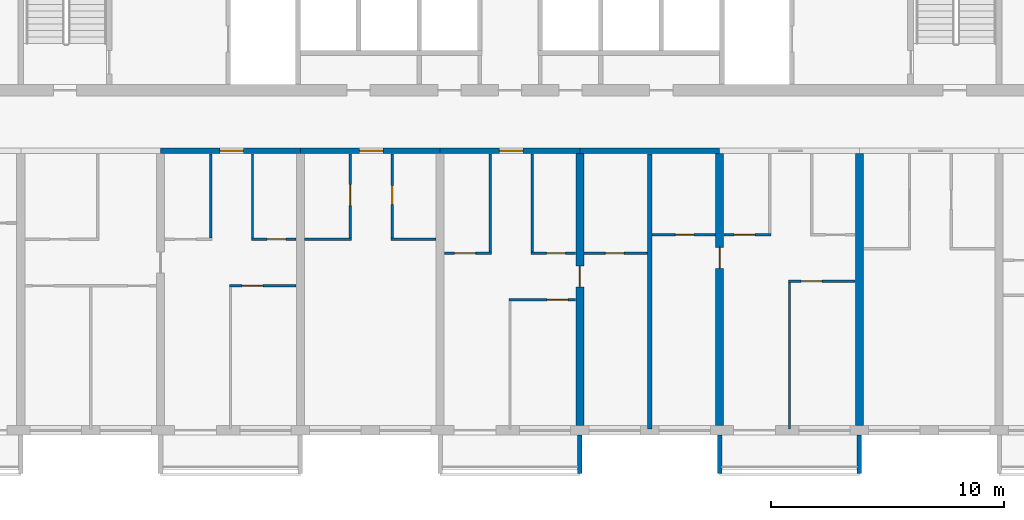
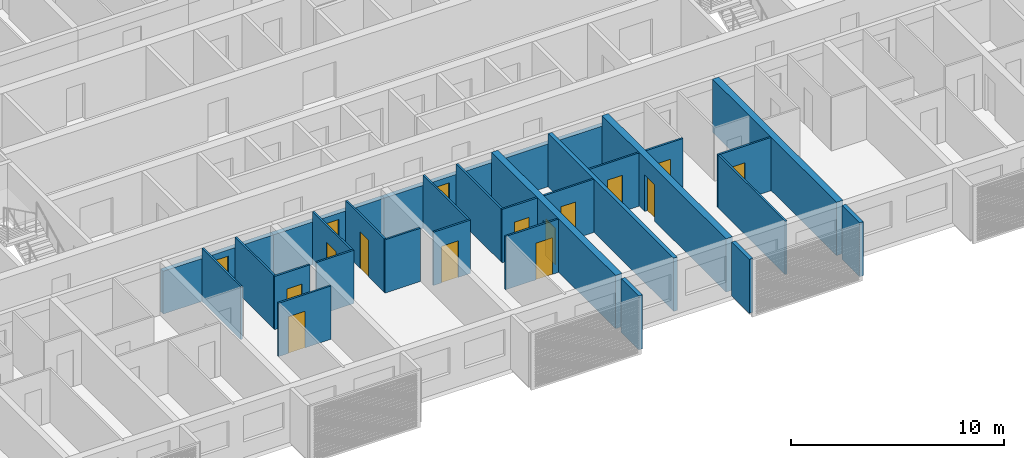
# One storey, part 5 of 27: 29 walls, 16 doors, 16 openings.
"""IFC4 building model written with IfcOpenShell, lengths in metres."""

from ifc_helpers import new_model, si_unit, direction, frame, frame_2d, origin, place, context, subcontext, project, spatial, polyline, rectangle, outline, extrude, source, transform, mapped, material, layer, layer_set, type_object, element, fill, save


model = new_model("IFC4")

# Units and contexts
model_context = context("Model", 3, precision=1e-05, world=origin(), true_north=direction((0.0, 1.0)))
body_context = subcontext(model_context, "Body", "Model", "MODEL_VIEW")
ifc_project = project(units=[si_unit("LENGTHUNIT", "METRE"), si_unit("AREAUNIT", "SQUARE_METRE"), si_unit("VOLUMEUNIT", "CUBIC_METRE"), si_unit("PLANEANGLEUNIT", "RADIAN"), si_unit("MASSUNIT", "GRAM", prefix="KILO")], contexts=[model_context])

# Site, building, storey
site_placement = place(None, origin())
site = spatial("IfcSite", under=ifc_project, at=site_placement, CompositionType="ELEMENT")
building_placement = place(site_placement, origin())
building = spatial("IfcBuilding", under=site, at=building_placement, Name="Poui Terraces", CompositionType="ELEMENT")
storey_placement = place(building_placement, frame((0.0, 0.0, 76.199951171875)))
storey = spatial("IfcBuildingStorey", under=building, at=storey_placement, Name="L20", CompositionType="ELEMENT", Elevation=76.199951171875)

# Wall, opening, door
ifc_material_1 = material(Name="Concrete 65 MPa", Category="concrete")
ifc_layer_1 = layer(ifc_material_1, 0.25)
ifc_layer_set_1 = layer_set([ifc_layer_1], Name="Concrete 65 MPa")
wall_type_1 = type_object("IfcWallType", Name="CORRIDOR WALL 250 65MPa", PredefinedType="SHEAR", material=ifc_layer_set_1)
wall_1_placement = place(storey_placement, frame((36.0, 12.0, 0.0), z_axis=(0.0, 0.0, 1.0), x_axis=(1.0, 0.0, 0.0)))
wall_1 = element("IfcWall", 1, at=wall_1_placement, inside=storey, type_object=wall_type_1, Name="CORRIDOR WALL LINE B BAY 6", PredefinedType="SHEAR", context=body_context, shape_type="SweptSolid", body=[
    extrude(rectangle(XDim=6.0, YDim=0.25, at=frame_2d((3.0, 0.0))), origin(), (0.0, 0.0, 1.0), 2.4599609375),
])
opening_1_placement = place(wall_1_placement, frame((2.550048828125, 0.0, 0.0)))
opening_1 = element("IfcOpeningElement", 2, at=opening_1_placement, cuts=wall_1, Name="Opening FD30S", PredefinedType="OPENING", context=body_context, shape_type="SweptSolid", body=[
    extrude(rectangle(XDim=1.0, YDim=2.10009765625, at=frame_2d((0.5, 1.050048828125))), frame((0.0, 0.135009765625, 0.0), z_axis=(0.0, -1.0, 0.0), x_axis=(1.0, 0.0, 0.0)), (0.0, 0.0, 1.0), 0.27001953125),
])
ifc_material_2 = material(Name="Steel fire door", Category="steel")
door_type_1 = type_object("IfcDoorType", Name="FLAT ENTRANCE DOOR 1000 X 2100", OperationType="NOTDEFINED", PredefinedType="DOOR", material=ifc_material_2)
door_1_placement = place(opening_1_placement, frame((1.0, 0.0, 0.0), z_axis=(0.0, 0.0, 1.0), x_axis=(-1.0, 0.0, 0.0)))
door_1 = element("IfcDoor", 3, at=door_1_placement, inside=storey, type_object=door_type_1, Name="FLAT ENTRANCE DOOR 101", OperationType="SINGLE_SWING_LEFT", OverallHeight=2.10009765625, OverallWidth=1.0, PredefinedType="DOOR", context=body_context, shape_type="SweptSolid", body=[
    extrude(rectangle(XDim=1.0, YDim=2.10009765625, at=frame_2d((0.5, 1.050048828125))), frame((0.0, 0.02490234375, 0.0), z_axis=(0.0, -1.0, 0.0), x_axis=(1.0, 0.0, 0.0)), (0.0, 0.0, 1.0), 0.050048828125),
])
fill(opening_1, door_1)

wall_2_placement = place(storey_placement, frame((42.0, 12.0, 0.0), z_axis=(0.0, 0.0, 1.0), x_axis=(1.0, 0.0, 0.0)))
wall_2 = element("IfcWall", 4, at=wall_2_placement, inside=storey, type_object=wall_type_1, Name="CORRIDOR WALL LINE B BAY 7", PredefinedType="SHEAR", context=body_context, shape_type="SweptSolid", body=[
    extrude(rectangle(XDim=6.0, YDim=0.25, at=frame_2d((3.0, 0.0))), origin(), (0.0, 0.0, 1.0), 2.4599609375),
])
opening_2_placement = place(wall_2_placement, frame((2.550048828125, 0.0, 0.0)))
opening_2 = element("IfcOpeningElement", 5, at=opening_2_placement, cuts=wall_2, Name="Opening FD30S", PredefinedType="OPENING", context=body_context, shape_type="SweptSolid", body=[
    extrude(rectangle(XDim=1.0, YDim=2.10009765625, at=frame_2d((0.5, 1.050048828125))), frame((0.0, 0.135009765625, 0.0), z_axis=(0.0, -1.0, 0.0), x_axis=(1.0, 0.0, 0.0)), (0.0, 0.0, 1.0), 0.27001953125),
])
door_2_placement = place(opening_2_placement, frame((1.0, 0.0, 0.0), z_axis=(0.0, 0.0, 1.0), x_axis=(-1.0, 0.0, 0.0)))
door_2 = element("IfcDoor", 6, at=door_2_placement, inside=storey, type_object=door_type_1, Name="FLAT ENTRANCE DOOR 105", OperationType="SINGLE_SWING_LEFT", OverallHeight=2.10009765625, OverallWidth=1.0, PredefinedType="DOOR", context=body_context, shape_type="SweptSolid", body=[
    extrude(rectangle(XDim=1.0, YDim=2.10009765625, at=frame_2d((0.5, 1.050048828125))), frame((0.0, 0.02490234375, 0.0), z_axis=(0.0, -1.0, 0.0), x_axis=(1.0, 0.0, 0.0)), (0.0, 0.0, 1.0), 0.050048828125),
])
fill(opening_2, door_2)

wall_3_placement = place(storey_placement, frame((48.0, 12.0, 0.0), z_axis=(0.0, 0.0, 1.0), x_axis=(1.0, 0.0, 0.0)))
wall_3 = element("IfcWall", 7, at=wall_3_placement, inside=storey, type_object=wall_type_1, Name="CORRIDOR WALL LINE B BAY 8", PredefinedType="SHEAR", context=body_context, shape_type="SweptSolid", body=[
    extrude(rectangle(XDim=6.0, YDim=0.25, at=frame_2d((3.0, 0.0))), origin(), (0.0, 0.0, 1.0), 2.4599609375),
])
opening_3_placement = place(wall_3_placement, frame((2.550048828125, 0.0, 0.0)))
opening_3 = element("IfcOpeningElement", 8, at=opening_3_placement, cuts=wall_3, Name="Opening FD30S", PredefinedType="OPENING", context=body_context, shape_type="SweptSolid", body=[
    extrude(rectangle(XDim=1.0, YDim=2.10009765625, at=frame_2d((0.5, 1.050048828125))), frame((0.0, 0.135009765625, 0.0), z_axis=(0.0, -1.0, 0.0), x_axis=(1.0, 0.0, 0.0)), (0.0, 0.0, 1.0), 0.27001953125),
])
door_3_placement = place(opening_3_placement, frame((1.0, 0.0, 0.0), z_axis=(0.0, 0.0, 1.0), x_axis=(-1.0, 0.0, 0.0)))
door_3 = element("IfcDoor", 9, at=door_3_placement, inside=storey, type_object=door_type_1, Name="FLAT ENTRANCE DOOR 109", OperationType="SINGLE_SWING_LEFT", OverallHeight=2.10009765625, OverallWidth=1.0, PredefinedType="DOOR", context=body_context, shape_type="SweptSolid", body=[
    extrude(rectangle(XDim=1.0, YDim=2.10009765625, at=frame_2d((0.5, 1.050048828125))), frame((0.0, 0.02490234375, 0.0), z_axis=(0.0, -1.0, 0.0), x_axis=(1.0, 0.0, 0.0)), (0.0, 0.0, 1.0), 0.050048828125),
])
fill(opening_3, door_3)

# Wall
wall_4_placement = place(storey_placement, frame((54.0, 12.0, 0.0), z_axis=(0.0, 0.0, 1.0), x_axis=(1.0, 0.0, 0.0)))
element("IfcWall", 10, at=wall_4_placement, inside=storey, type_object=wall_type_1, Name="CORRIDOR WALL LINE B BAY 9", PredefinedType="SHEAR", context=body_context, shape_type="SweptSolid", body=[
    extrude(rectangle(XDim=6.0, YDim=0.25, at=frame_2d((3.0, 0.0))), origin(), (0.0, 0.0, 1.0), 2.4599609375),
])

# Wall, opening, door
ifc_layer_2 = layer(ifc_material_1, 0.35009765625)
ifc_layer_set_2 = layer_set([ifc_layer_2], Name="Concrete 65 MPa")
wall_type_2 = type_object("IfcWallType", Name="CROSS WALL 350 65MPa", PredefinedType="SHEAR", material=ifc_layer_set_2)
wall_5_placement = place(storey_placement, frame((54.0, 0.199951171875, 0.0), z_axis=(0.0, 0.0, 1.0), x_axis=(0.0, 1.0, 0.0)))
wall_5 = element("IfcWall", 11, at=wall_5_placement, inside=storey, type_object=wall_type_2, Name="CROSS WALL LINE 10 SOUTH", PredefinedType="SHEAR", context=body_context, shape_type="SweptSolid", body=[
    extrude(rectangle(XDim=11.675048828125, YDim=0.35009765625, at=frame_2d((5.83740234375, 0.0))), origin(), (0.0, 0.0, 1.0), 3.06005859375),
])
opening_4_placement = place(wall_5_placement, frame((5.949951171875, 0.0, 0.0)))
opening_4 = element("IfcOpeningElement", 12, at=opening_4_placement, cuts=wall_5, Name="Opening D90", PredefinedType="OPENING", context=body_context, shape_type="SweptSolid", body=[
    extrude(rectangle(XDim=0.89990234375, YDim=2.10009765625, at=frame_2d((0.449951171875, 1.050048828125))), frame((0.0, 0.18505859375, 0.0), z_axis=(0.0, -1.0, 0.0), x_axis=(1.0, 0.0, 0.0)), (0.0, 0.0, 1.0), 0.3701171875),
])
ifc_material_3 = material(Name="Solid core timber door", Category="wood")
door_type_2 = type_object("IfcDoorType", Name="INTERNAL DOOR 900 X 2100", OperationType="NOTDEFINED", PredefinedType="DOOR", material=ifc_material_3)
door_4_placement = place(opening_4_placement, frame((0.89990234375, 0.0, 0.0), z_axis=(0.0, 0.0, 1.0), x_axis=(-1.0, 0.0, 0.0)))
door_4 = element("IfcDoor", 13, at=door_4_placement, inside=storey, type_object=door_type_2, Name="INTERNAL DOOR 112", OperationType="SINGLE_SWING_LEFT", OverallHeight=2.10009765625, OverallWidth=0.89990234375, PredefinedType="DOOR", context=body_context, shape_type="SweptSolid", body=[
    extrude(rectangle(XDim=0.89990234375, YDim=2.10009765625, at=frame_2d((0.449951171875, 1.050048828125))), frame((0.0, 0.02490234375, 0.0), z_axis=(0.0, -1.0, 0.0), x_axis=(1.0, 0.0, 0.0)), (0.0, 0.0, 1.0), 0.050048828125),
])
fill(opening_4, door_4)

wall_6_placement = place(storey_placement, frame((60.0, 0.199951171875, 0.0), z_axis=(0.0, 0.0, 1.0), x_axis=(0.0, 1.0, 0.0)))
wall_6 = element("IfcWall", 14, at=wall_6_placement, inside=storey, type_object=wall_type_2, Name="CROSS WALL LINE 11 SOUTH", PredefinedType="SHEAR", context=body_context, shape_type="SweptSolid", body=[
    extrude(rectangle(XDim=11.675048828125, YDim=0.35009765625, at=frame_2d((5.83740234375, 0.0))), origin(), (0.0, 0.0, 1.0), 3.06005859375),
])
opening_5_placement = place(wall_6_placement, frame((6.75, 0.0, 0.0)))
opening_5 = element("IfcOpeningElement", 15, at=opening_5_placement, cuts=wall_6, Name="Opening D90", PredefinedType="OPENING", context=body_context, shape_type="SweptSolid", body=[
    extrude(rectangle(XDim=0.89990234375, YDim=2.10009765625, at=frame_2d((0.449951171875, 1.050048828125))), frame((0.0, 0.18505859375, 0.0), z_axis=(0.0, -1.0, 0.0), x_axis=(1.0, 0.0, 0.0)), (0.0, 0.0, 1.0), 0.3701171875),
])
door_5_placement = place(opening_5_placement, origin())
door_5 = element("IfcDoor", 16, at=door_5_placement, inside=storey, type_object=door_type_2, Name="INTERNAL DOOR 114", OperationType="SINGLE_SWING_RIGHT", OverallHeight=2.10009765625, OverallWidth=0.89990234375, PredefinedType="DOOR", context=body_context, shape_type="SweptSolid", body=[
    extrude(rectangle(XDim=0.89990234375, YDim=2.10009765625, at=frame_2d((0.449951171875, 1.050048828125))), frame((0.0, 0.02490234375, 0.0), z_axis=(0.0, -1.0, 0.0), x_axis=(1.0, 0.0, 0.0)), (0.0, 0.0, 1.0), 0.050048828125),
])
fill(opening_5, door_5)

# Wall
wall_7_placement = place(storey_placement, frame((66.0, 0.199951171875, 0.0), z_axis=(0.0, 0.0, 1.0), x_axis=(0.0, 1.0, 0.0)))
element("IfcWall", 17, at=wall_7_placement, inside=storey, type_object=wall_type_2, Name="CROSS WALL LINE 12 SOUTH", PredefinedType="SHEAR", context=body_context, shape_type="SweptSolid", body=[
    extrude(rectangle(XDim=11.675048828125, YDim=0.35009765625, at=frame_2d((5.83740234375, 0.0))), origin(), (0.0, 0.0, 1.0), 3.06005859375),
])

# Wall, opening, door
ifc_material_4 = material(Name="Plasterboard partition")
ifc_layer_3 = layer(ifc_material_4, 0.10009765625)
ifc_layer_set_3 = layer_set([ifc_layer_3], Name="Plasterboard partition")
wall_type_3 = type_object("IfcWallType", Name="FLAT PARTITION 100", PredefinedType="PARTITIONING", material=ifc_layer_set_3)
wall_8_placement = place(storey_placement, frame((50.949951171875, 5.60009765625, 0.0), z_axis=(0.0, 0.0, 1.0), x_axis=(1.0, 0.0, 0.0)))
wall_8 = element("IfcWall", 18, at=wall_8_placement, inside=storey, type_object=wall_type_3, Name="FLAT PARTITION 100", PredefinedType="PARTITIONING", context=body_context, shape_type="SweptSolid", body=[
    extrude(rectangle(XDim=2.864990234375, YDim=0.10009765625, at=frame_2d((1.4326171875, 0.0))), origin(), (0.0, 0.0, 1.0), 3.06005859375),
])
opening_6_placement = place(wall_8_placement, frame((1.64990234375, 0.0, 0.0)))
opening_6 = element("IfcOpeningElement", 19, at=opening_6_placement, cuts=wall_8, Name="Opening D90", PredefinedType="OPENING", context=body_context, shape_type="SweptSolid", body=[
    extrude(rectangle(XDim=0.89990234375, YDim=2.10009765625, at=frame_2d((0.449951171875, 1.050048828125))), frame((0.0, 0.06005859375, 0.0), z_axis=(0.0, -1.0, 0.0), x_axis=(1.0, 0.0, 0.0)), (0.0, 0.0, 1.0), 0.1201171875),
])
door_6_placement = place(opening_6_placement, origin())
door_6 = element("IfcDoor", 20, at=door_6_placement, inside=storey, type_object=door_type_2, Name="INTERNAL DOOR 111", OperationType="SINGLE_SWING_LEFT", OverallHeight=2.10009765625, OverallWidth=0.89990234375, PredefinedType="DOOR", context=body_context, shape_type="SweptSolid", body=[
    extrude(rectangle(XDim=0.89990234375, YDim=2.10009765625, at=frame_2d((0.449951171875, 1.050048828125))), frame((0.0, 0.02490234375, 0.0), z_axis=(0.0, -1.0, 0.0), x_axis=(1.0, 0.0, 0.0)), (0.0, 0.0, 1.0), 0.050048828125),
])
fill(opening_6, door_6)

wall_9_placement = place(storey_placement, frame((38.949951171875, 6.199951171875, 0.0), z_axis=(0.0, 0.0, 1.0), x_axis=(1.0, 0.0, 0.0)))
wall_9 = element("IfcWall", 21, at=wall_9_placement, inside=storey, type_object=wall_type_3, Name="FLAT PARTITION 100", PredefinedType="PARTITIONING", context=body_context, shape_type="SweptSolid", body=[
    extrude(rectangle(XDim=2.864990234375, YDim=0.10009765625, at=frame_2d((1.4326171875, 0.0))), origin(), (0.0, 0.0, 1.0), 3.06005859375),
])
opening_7_placement = place(wall_9_placement, frame((0.550048828125, 0.0, 0.0)))
opening_7 = element("IfcOpeningElement", 22, at=opening_7_placement, cuts=wall_9, Name="Opening D90", PredefinedType="OPENING", context=body_context, shape_type="SweptSolid", body=[
    extrude(rectangle(XDim=0.89990234375, YDim=2.10009765625, at=frame_2d((0.449951171875, 1.050048828125))), frame((0.0, 0.06005859375, 0.0), z_axis=(0.0, -1.0, 0.0), x_axis=(1.0, 0.0, 0.0)), (0.0, 0.0, 1.0), 0.1201171875),
])
door_7_placement = place(opening_7_placement, origin())
door_7 = element("IfcDoor", 23, at=door_7_placement, inside=storey, type_object=door_type_2, Name="INTERNAL DOOR 102", OperationType="SINGLE_SWING_RIGHT", OverallHeight=2.10009765625, OverallWidth=0.89990234375, PredefinedType="DOOR", context=body_context, shape_type="SweptSolid", body=[
    extrude(rectangle(XDim=0.89990234375, YDim=2.10009765625, at=frame_2d((0.449951171875, 1.050048828125))), frame((0.0, 0.02490234375, 0.0), z_axis=(0.0, -1.0, 0.0), x_axis=(1.0, 0.0, 0.0)), (0.0, 0.0, 1.0), 0.050048828125),
])
fill(opening_7, door_7)

wall_10_placement = place(storey_placement, frame((62.949951171875, 6.39990234375, 0.0), z_axis=(0.0, 0.0, 1.0), x_axis=(1.0, 0.0, 0.0)))
wall_10 = element("IfcWall", 24, at=wall_10_placement, inside=storey, type_object=wall_type_3, Name="FLAT PARTITION 100", PredefinedType="PARTITIONING", context=body_context, shape_type="SweptSolid", body=[
    extrude(rectangle(XDim=2.864990234375, YDim=0.10009765625, at=frame_2d((1.4326171875, 0.0))), origin(), (0.0, 0.0, 1.0), 3.06005859375),
])
opening_8_placement = place(wall_10_placement, frame((0.550048828125, 0.0, 0.0)))
opening_8 = element("IfcOpeningElement", 25, at=opening_8_placement, cuts=wall_10, Name="Opening D90", PredefinedType="OPENING", context=body_context, shape_type="SweptSolid", body=[
    extrude(rectangle(XDim=0.89990234375, YDim=2.10009765625, at=frame_2d((0.449951171875, 1.050048828125))), frame((0.0, 0.06005859375, 0.0), z_axis=(0.0, -1.0, 0.0), x_axis=(1.0, 0.0, 0.0)), (0.0, 0.0, 1.0), 0.1201171875),
])
door_8_placement = place(opening_8_placement, origin())
door_8 = element("IfcDoor", 26, at=door_8_placement, inside=storey, type_object=door_type_2, Name="INTERNAL DOOR 117", OperationType="SINGLE_SWING_RIGHT", OverallHeight=2.10009765625, OverallWidth=0.89990234375, PredefinedType="DOOR", context=body_context, shape_type="SweptSolid", body=[
    extrude(rectangle(XDim=0.89990234375, YDim=2.10009765625, at=frame_2d((0.449951171875, 1.050048828125))), frame((0.0, 0.02490234375, 0.0), z_axis=(0.0, -1.0, 0.0), x_axis=(1.0, 0.0, 0.0)), (0.0, 0.0, 1.0), 0.050048828125),
])
fill(opening_8, door_8)

wall_11_placement = place(storey_placement, frame((48.18505859375, 7.60009765625, 0.0), z_axis=(0.0, 0.0, 1.0), x_axis=(1.0, 0.0, 0.0)))
wall_11 = element("IfcWall", 27, at=wall_11_placement, inside=storey, type_object=wall_type_3, Name="FLAT PARTITION 100", PredefinedType="PARTITIONING", context=body_context, shape_type="SweptSolid", body=[
    extrude(rectangle(XDim=2.014892578125, YDim=0.10009765625, at=frame_2d((1.00732421875, 0.0))), origin(), (0.0, 0.0, 1.0), 3.06005859375),
])
opening_9_placement = place(wall_11_placement, frame((0.43994140625, 0.0, 0.0)))
opening_9 = element("IfcOpeningElement", 28, at=opening_9_placement, cuts=wall_11, Name="Opening D90", PredefinedType="OPENING", context=body_context, shape_type="SweptSolid", body=[
    extrude(rectangle(XDim=0.89990234375, YDim=2.10009765625, at=frame_2d((0.449951171875, 1.050048828125))), frame((0.0, 0.06005859375, 0.0), z_axis=(0.0, -1.0, 0.0), x_axis=(1.0, 0.0, 0.0)), (0.0, 0.0, 1.0), 0.1201171875),
])
door_9_placement = place(opening_9_placement, origin())
door_9 = element("IfcDoor", 29, at=door_9_placement, inside=storey, type_object=door_type_2, Name="INTERNAL DOOR 108", OperationType="SINGLE_SWING_LEFT", OverallHeight=2.10009765625, OverallWidth=0.89990234375, PredefinedType="DOOR", context=body_context, shape_type="SweptSolid", body=[
    extrude(rectangle(XDim=0.89990234375, YDim=2.10009765625, at=frame_2d((0.449951171875, 1.050048828125))), frame((0.0, 0.02490234375, 0.0), z_axis=(0.0, -1.0, 0.0), x_axis=(1.0, 0.0, 0.0)), (0.0, 0.0, 1.0), 0.050048828125),
])
fill(opening_9, door_9)

wall_12_placement = place(storey_placement, frame((51.89990234375, 7.60009765625, 0.0), z_axis=(0.0, 0.0, 1.0), x_axis=(1.0, 0.0, 0.0)))
wall_12 = element("IfcWall", 30, at=wall_12_placement, inside=storey, type_object=wall_type_3, Name="FLAT PARTITION 100", PredefinedType="PARTITIONING", context=body_context, shape_type="SweptSolid", body=[
    extrude(rectangle(XDim=1.9150390625, YDim=0.10009765625, at=frame_2d((0.95751953125, 0.0))), origin(), (0.0, 0.0, 1.0), 3.06005859375),
])
opening_10_placement = place(wall_12_placement, frame((0.675048828125, 0.0, 0.0)))
opening_10 = element("IfcOpeningElement", 31, at=opening_10_placement, cuts=wall_12, Name="Opening D80", PredefinedType="OPENING", context=body_context, shape_type="SweptSolid", body=[
    extrude(rectangle(XDim=0.800048828125, YDim=2.10009765625, at=frame_2d((0.39990234375, 1.050048828125))), frame((0.0, 0.06005859375, 0.0), z_axis=(0.0, -1.0, 0.0), x_axis=(1.0, 0.0, 0.0)), (0.0, 0.0, 1.0), 0.1201171875),
])
door_type_3 = type_object("IfcDoorType", Name="BATHROOM, LAUNDRY AND STORE DOOR 800 X 2100", OperationType="NOTDEFINED", PredefinedType="DOOR", material=ifc_material_3)
door_10_placement = place(opening_10_placement, origin())
door_10 = element("IfcDoor", 32, at=door_10_placement, inside=storey, type_object=door_type_3, Name="BATHROOM, LAUNDRY AND STORE DOOR 110", OperationType="SINGLE_SWING_RIGHT", OverallHeight=2.10009765625, OverallWidth=0.800048828125, PredefinedType="DOOR", context=body_context, shape_type="SweptSolid", body=[
    extrude(rectangle(XDim=0.800048828125, YDim=2.10009765625, at=frame_2d((0.39990234375, 1.050048828125))), frame((0.0, 0.02490234375, 0.0), z_axis=(0.0, -1.0, 0.0), x_axis=(1.0, 0.0, 0.0)), (0.0, 0.0, 1.0), 0.050048828125),
])
fill(opening_10, door_10)

wall_13_placement = place(storey_placement, frame((54.18505859375, 7.60009765625, 0.0), z_axis=(0.0, 0.0, 1.0), x_axis=(1.0, 0.0, 0.0)))
wall_13 = element("IfcWall", 33, at=wall_13_placement, inside=storey, type_object=wall_type_3, Name="FLAT PARTITION 100", PredefinedType="PARTITIONING", context=body_context, shape_type="SweptSolid", body=[
    extrude(rectangle(XDim=2.71484375, YDim=0.10009765625, at=frame_2d((1.357421875, 0.0))), origin(), (0.0, 0.0, 1.0), 3.06005859375),
])
opening_11_placement = place(wall_13_placement, frame((0.9150390625, 0.0, 0.0)))
opening_11 = element("IfcOpeningElement", 34, at=opening_11_placement, cuts=wall_13, Name="Opening D80", PredefinedType="OPENING", context=body_context, shape_type="SweptSolid", body=[
    extrude(rectangle(XDim=0.800048828125, YDim=2.10009765625, at=frame_2d((0.39990234375, 1.050048828125))), frame((0.0, 0.06005859375, 0.0), z_axis=(0.0, -1.0, 0.0), x_axis=(1.0, 0.0, 0.0)), (0.0, 0.0, 1.0), 0.1201171875),
])
door_11_placement = place(opening_11_placement, origin())
door_11 = element("IfcDoor", 35, at=door_11_placement, inside=storey, type_object=door_type_3, Name="BATHROOM, LAUNDRY AND STORE DOOR 107", OperationType="SINGLE_SWING_LEFT", OverallHeight=2.10009765625, OverallWidth=0.800048828125, PredefinedType="DOOR", context=body_context, shape_type="SweptSolid", body=[
    extrude(rectangle(XDim=0.800048828125, YDim=2.10009765625, at=frame_2d((0.39990234375, 1.050048828125))), frame((0.0, 0.02490234375, 0.0), z_axis=(0.0, -1.0, 0.0), x_axis=(1.0, 0.0, 0.0)), (0.0, 0.0, 1.0), 0.050048828125),
])
fill(opening_11, door_11)

wall_14_placement = place(storey_placement, frame((39.89990234375, 8.199951171875, 0.0), z_axis=(0.0, 0.0, 1.0), x_axis=(1.0, 0.0, 0.0)))
wall_14 = element("IfcWall", 36, at=wall_14_placement, inside=storey, type_object=wall_type_3, Name="FLAT PARTITION 100", PredefinedType="PARTITIONING", context=body_context, shape_type="SweptSolid", body=[
    extrude(rectangle(XDim=1.9150390625, YDim=0.10009765625, at=frame_2d((0.95751953125, 0.0))), origin(), (0.0, 0.0, 1.0), 3.06005859375),
])
opening_12_placement = place(wall_14_placement, frame((0.675048828125, 0.0, 0.0)))
opening_12 = element("IfcOpeningElement", 37, at=opening_12_placement, cuts=wall_14, Name="Opening D80", PredefinedType="OPENING", context=body_context, shape_type="SweptSolid", body=[
    extrude(rectangle(XDim=0.800048828125, YDim=2.10009765625, at=frame_2d((0.39990234375, 1.050048828125))), frame((0.0, 0.06005859375, 0.0), z_axis=(0.0, -1.0, 0.0), x_axis=(1.0, 0.0, 0.0)), (0.0, 0.0, 1.0), 0.1201171875),
])
door_12_placement = place(opening_12_placement, origin())
door_12 = element("IfcDoor", 38, at=door_12_placement, inside=storey, type_object=door_type_3, Name="BATHROOM, LAUNDRY AND STORE DOOR 103", OperationType="SINGLE_SWING_LEFT", OverallHeight=2.10009765625, OverallWidth=0.800048828125, PredefinedType="DOOR", context=body_context, shape_type="SweptSolid", body=[
    extrude(rectangle(XDim=0.800048828125, YDim=2.10009765625, at=frame_2d((0.39990234375, 1.050048828125))), frame((0.0, 0.02490234375, 0.0), z_axis=(0.0, -1.0, 0.0), x_axis=(1.0, 0.0, 0.0)), (0.0, 0.0, 1.0), 0.050048828125),
])
fill(opening_12, door_12)

# Walls
wall_15_placement = place(storey_placement, frame((42.18505859375, 8.199951171875, 0.0), z_axis=(0.0, 0.0, 1.0), x_axis=(1.0, 0.0, 0.0)))
element("IfcWall", 39, at=wall_15_placement, inside=storey, type_object=wall_type_3, Name="FLAT PARTITION 100", PredefinedType="PARTITIONING", context=body_context, shape_type="SweptSolid", body=[
    extrude(rectangle(XDim=2.014892578125, YDim=0.10009765625, at=frame_2d((1.00732421875, 0.0))), origin(), (0.0, 0.0, 1.0), 3.06005859375),
])
wall_16_placement = place(storey_placement, frame((45.89990234375, 8.199951171875, 0.0), z_axis=(0.0, 0.0, 1.0), x_axis=(1.0, 0.0, 0.0)))
element("IfcWall", 40, at=wall_16_placement, inside=storey, type_object=wall_type_3, Name="FLAT PARTITION 100", PredefinedType="PARTITIONING", context=body_context, shape_type="SweptSolid", body=[
    extrude(rectangle(XDim=1.9150390625, YDim=0.10009765625, at=frame_2d((0.95751953125, 0.0))), origin(), (0.0, 0.0, 1.0), 3.06005859375),
])

# Wall, opening, door
wall_17_placement = place(storey_placement, frame((57.10009765625, 8.39990234375, 0.0), z_axis=(0.0, 0.0, 1.0), x_axis=(1.0, 0.0, 0.0)))
wall_17 = element("IfcWall", 41, at=wall_17_placement, inside=storey, type_object=wall_type_3, Name="FLAT PARTITION 100", PredefinedType="PARTITIONING", context=body_context, shape_type="SweptSolid", body=[
    extrude(rectangle(XDim=2.71484375, YDim=0.10009765625, at=frame_2d((1.357421875, 0.0))), origin(), (0.0, 0.0, 1.0), 3.06005859375),
])
opening_13_placement = place(wall_17_placement, frame((1.0, 0.0, 0.0)))
opening_13 = element("IfcOpeningElement", 42, at=opening_13_placement, cuts=wall_17, Name="Opening D80", PredefinedType="OPENING", context=body_context, shape_type="SweptSolid", body=[
    extrude(rectangle(XDim=0.800048828125, YDim=2.10009765625, at=frame_2d((0.39990234375, 1.050048828125))), frame((0.0, 0.06005859375, 0.0), z_axis=(0.0, -1.0, 0.0), x_axis=(1.0, 0.0, 0.0)), (0.0, 0.0, 1.0), 0.1201171875),
])
door_13_placement = place(opening_13_placement, origin())
door_13 = element("IfcDoor", 43, at=door_13_placement, inside=storey, type_object=door_type_3, Name="BATHROOM, LAUNDRY AND STORE DOOR 113", OperationType="SINGLE_SWING_RIGHT", OverallHeight=2.10009765625, OverallWidth=0.800048828125, PredefinedType="DOOR", context=body_context, shape_type="SweptSolid", body=[
    extrude(rectangle(XDim=0.800048828125, YDim=2.10009765625, at=frame_2d((0.39990234375, 1.050048828125))), frame((0.0, 0.02490234375, 0.0), z_axis=(0.0, -1.0, 0.0), x_axis=(1.0, 0.0, 0.0)), (0.0, 0.0, 1.0), 0.050048828125),
])
fill(opening_13, door_13)

wall_18_placement = place(storey_placement, frame((60.18505859375, 8.39990234375, 0.0), z_axis=(0.0, 0.0, 1.0), x_axis=(1.0, 0.0, 0.0)))
wall_18 = element("IfcWall", 44, at=wall_18_placement, inside=storey, type_object=wall_type_3, Name="FLAT PARTITION 100", PredefinedType="PARTITIONING", context=body_context, shape_type="SweptSolid", body=[
    extrude(rectangle(XDim=2.014892578125, YDim=0.10009765625, at=frame_2d((1.00732421875, 0.0))), origin(), (0.0, 0.0, 1.0), 3.06005859375),
])
opening_14_placement = place(wall_18_placement, frame((0.43994140625, 0.0, 0.0)))
opening_14 = element("IfcOpeningElement", 45, at=opening_14_placement, cuts=wall_18, Name="Opening D90", PredefinedType="OPENING", context=body_context, shape_type="SweptSolid", body=[
    extrude(rectangle(XDim=0.89990234375, YDim=2.10009765625, at=frame_2d((0.449951171875, 1.050048828125))), frame((0.0, 0.06005859375, 0.0), z_axis=(0.0, -1.0, 0.0), x_axis=(1.0, 0.0, 0.0)), (0.0, 0.0, 1.0), 0.1201171875),
])
door_14_placement = place(opening_14_placement, origin())
door_14 = element("IfcDoor", 46, at=door_14_placement, inside=storey, type_object=door_type_2, Name="INTERNAL DOOR 115", OperationType="SINGLE_SWING_RIGHT", OverallHeight=2.10009765625, OverallWidth=0.89990234375, PredefinedType="DOOR", context=body_context, shape_type="SweptSolid", body=[
    extrude(rectangle(XDim=0.89990234375, YDim=2.10009765625, at=frame_2d((0.449951171875, 1.050048828125))), frame((0.0, 0.02490234375, 0.0), z_axis=(0.0, -1.0, 0.0), x_axis=(1.0, 0.0, 0.0)), (0.0, 0.0, 1.0), 0.050048828125),
])
fill(opening_14, door_14)

# Walls
for number, where, z_axis, x_axis, name in (
    (47, (38.14990234375, 8.25, 0.0), (0.0, 0.0, 1.0), (0.0, 1.0, 0.0), "FLAT PARTITION 100"),
    (48, (39.949951171875, 8.25, 0.0), (0.0, 0.0, 1.0), (0.0, 1.0, 0.0), "FLAT PARTITION 100"),
):
    element("IfcWall", number, at=place(storey_placement, frame(where, z_axis=z_axis, x_axis=x_axis)), inside=storey, type_object=wall_type_3, Name=name, PredefinedType="PARTITIONING", context=body_context, shape_type="SweptSolid", body=[
        extrude(rectangle(XDim=3.614990234375, YDim=0.10009765625, at=frame_2d((1.8076171875, 0.0))), origin(), (0.0, 0.0, 1.0), 3.06005859375),
    ])

# Wall, opening, door
wall_19_placement = place(storey_placement, frame((44.14990234375, 8.25, 0.0), z_axis=(0.0, 0.0, 1.0), x_axis=(0.0, 1.0, 0.0)))
wall_19 = element("IfcWall", 49, at=wall_19_placement, inside=storey, type_object=wall_type_3, Name="FLAT PARTITION 100", PredefinedType="PARTITIONING", context=body_context, shape_type="SweptSolid", body=[
    extrude(rectangle(XDim=3.614990234375, YDim=0.10009765625, at=frame_2d((1.8076171875, 0.0))), origin(), (0.0, 0.0, 1.0), 3.06005859375),
])
opening_15_placement = place(wall_19_placement, frame((1.39990234375, 0.0, 0.0)))
opening_15 = element("IfcOpeningElement", 50, at=opening_15_placement, cuts=wall_19, Name="Opening D90", PredefinedType="OPENING", context=body_context, shape_type="SweptSolid", body=[
    extrude(rectangle(XDim=0.89990234375, YDim=2.10009765625, at=frame_2d((0.449951171875, 1.050048828125))), frame((0.0, 0.06005859375, 0.0), z_axis=(0.0, -1.0, 0.0), x_axis=(1.0, 0.0, 0.0)), (0.0, 0.0, 1.0), 0.1201171875),
])
door_15_placement = place(opening_15_placement, origin())
door_15 = element("IfcDoor", 51, at=door_15_placement, inside=storey, type_object=door_type_2, Name="INTERNAL DOOR 104", OperationType="SINGLE_SWING_LEFT", OverallHeight=2.10009765625, OverallWidth=0.89990234375, PredefinedType="DOOR", context=body_context, shape_type="SweptSolid", body=[
    extrude(rectangle(XDim=0.89990234375, YDim=2.10009765625, at=frame_2d((0.449951171875, 1.050048828125))), frame((0.0, 0.02490234375, 0.0), z_axis=(0.0, -1.0, 0.0), x_axis=(1.0, 0.0, 0.0)), (0.0, 0.0, 1.0), 0.050048828125),
])
fill(opening_15, door_15)

wall_20_placement = place(storey_placement, frame((45.949951171875, 8.25, 0.0), z_axis=(0.0, 0.0, 1.0), x_axis=(0.0, 1.0, 0.0)))
wall_20 = element("IfcWall", 52, at=wall_20_placement, inside=storey, type_object=wall_type_3, Name="FLAT PARTITION 100", PredefinedType="PARTITIONING", context=body_context, shape_type="SweptSolid", body=[
    extrude(rectangle(XDim=3.614990234375, YDim=0.10009765625, at=frame_2d((1.8076171875, 0.0))), origin(), (0.0, 0.0, 1.0), 3.06005859375),
])
opening_16_placement = place(wall_20_placement, frame((1.449951171875, 0.0, 0.0)))
opening_16 = element("IfcOpeningElement", 53, at=opening_16_placement, cuts=wall_20, Name="Opening D80", PredefinedType="OPENING", context=body_context, shape_type="SweptSolid", body=[
    extrude(rectangle(XDim=0.800048828125, YDim=2.10009765625, at=frame_2d((0.39990234375, 1.050048828125))), frame((0.0, 0.06005859375, 0.0), z_axis=(0.0, -1.0, 0.0), x_axis=(1.0, 0.0, 0.0)), (0.0, 0.0, 1.0), 0.1201171875),
])
door_16_placement = place(opening_16_placement, frame((0.800048828125, 0.0, 0.0), z_axis=(0.0, 0.0, 1.0), x_axis=(-1.0, 0.0, 0.0)))
door_16 = element("IfcDoor", 54, at=door_16_placement, inside=storey, type_object=door_type_3, Name="BATHROOM, LAUNDRY AND STORE DOOR 106", OperationType="SINGLE_SWING_LEFT", OverallHeight=2.10009765625, OverallWidth=0.800048828125, PredefinedType="DOOR", context=body_context, shape_type="SweptSolid", body=[
    extrude(rectangle(XDim=0.800048828125, YDim=2.10009765625, at=frame_2d((0.39990234375, 1.050048828125))), frame((0.0, 0.02490234375, 0.0), z_axis=(0.0, -1.0, 0.0), x_axis=(1.0, 0.0, 0.0)), (0.0, 0.0, 1.0), 0.050048828125),
])
fill(opening_16, door_16)

# Walls
for number, where, z_axis, x_axis, name in (
    (55, (50.14990234375, 7.64990234375, 0.0), (0.0, 0.0, 1.0), (0.0, 1.0, 0.0), "FLAT PARTITION 100"),
    (56, (51.949951171875, 7.64990234375, 0.0), (0.0, 0.0, 1.0), (0.0, 1.0, 0.0), "FLAT PARTITION 100"),
):
    element("IfcWall", number, at=place(storey_placement, frame(where, z_axis=z_axis, x_axis=x_axis)), inside=storey, type_object=wall_type_3, Name=name, PredefinedType="PARTITIONING", context=body_context, shape_type="SweptSolid", body=[
        extrude(rectangle(XDim=4.215087890625, YDim=0.10009765625, at=frame_2d((2.107421875, 0.0))), origin(), (0.0, 0.0, 1.0), 3.06005859375),
    ])
wall_21_placement = place(storey_placement, frame((63.0, 0.06005859375, 0.0), z_axis=(0.0, 0.0, 1.0), x_axis=(0.0, 1.0, 0.0)))
element("IfcWall", 57, at=wall_21_placement, inside=storey, type_object=wall_type_3, Name="FLAT PARTITION 100", PredefinedType="PARTITIONING", context=body_context, shape_type="SweptSolid", body=[
    extrude(rectangle(XDim=6.2900390625, YDim=0.10009765625, at=frame_2d((3.14501953125, 0.0))), origin(), (0.0, 0.0, 1.0), 3.06005859375),
])
ifc_material_5 = material(Name="Fire-rated masonry wall", Category="masonry")
ifc_layer_4 = layer(ifc_material_5, 0.199951171875)
ifc_layer_set_4 = layer_set([ifc_layer_4], Name="Fire-rated masonry wall")
wall_type_4 = type_object("IfcWallType", Name="FLAT PARTY WALL 200", PredefinedType="PARTITIONING", material=ifc_layer_set_4)
wall_22_placement = place(storey_placement, frame((57.0, 0.06005859375, 0.0), z_axis=(0.0, 0.0, 1.0), x_axis=(0.0, 1.0, 0.0)))
element("IfcWall", 58, at=wall_22_placement, inside=storey, type_object=wall_type_4, Name="FLAT PARTY WALL 200", PredefinedType="PARTITIONING", context=body_context, shape_type="SweptSolid", body=[
    extrude(rectangle(XDim=11.804931640625, YDim=0.199951171875, at=frame_2d((5.90234375, 0.0))), origin(), (0.0, 0.0, 1.0), 3.06005859375),
])
ifc_material_6 = material(Name="Precast concrete 40 MPa", Category="concrete")
ifc_layer_5 = layer(ifc_material_6, 0.199951171875)
ifc_layer_set_5 = layer_set([ifc_layer_5], Name="Precast concrete 40 MPa")
wall_type_5 = type_object("IfcWallType", Name="REAR FIN 200", PredefinedType="STANDARD", material=ifc_layer_set_5)
shared_shape = source(origin(), body_context, "Body", "SweptSolid", [
    extrude(outline(polyline([(0.0, 0.0), (0.2001953125, 0.0), (0.2001953125, 1.650146484375), (0.0, 1.650146484375), (0.0, 0.0)])), origin(), (0.0, 0.0, 1.0), 3.10009765625),
])
for number, where, name in (
    (59, (53.89990234375, -1.85009765625, 0.0), "REAR FIN"),
    (60, (59.89990234375, -1.85009765625, 0.0), "REAR FIN"),
    (61, (65.89990234375, -1.85009765625, 0.0), "REAR FIN"),
):
    element("IfcWall", number, at=place(storey_placement, frame(where)), inside=storey, type_object=wall_type_5, Name=name, PredefinedType="STANDARD", context=body_context, shape_type="MappedRepresentation", body=[
        mapped(shared_shape, transform((0.0, 0.0, 0.0))),
    ])

save(model, "model.ifc")
